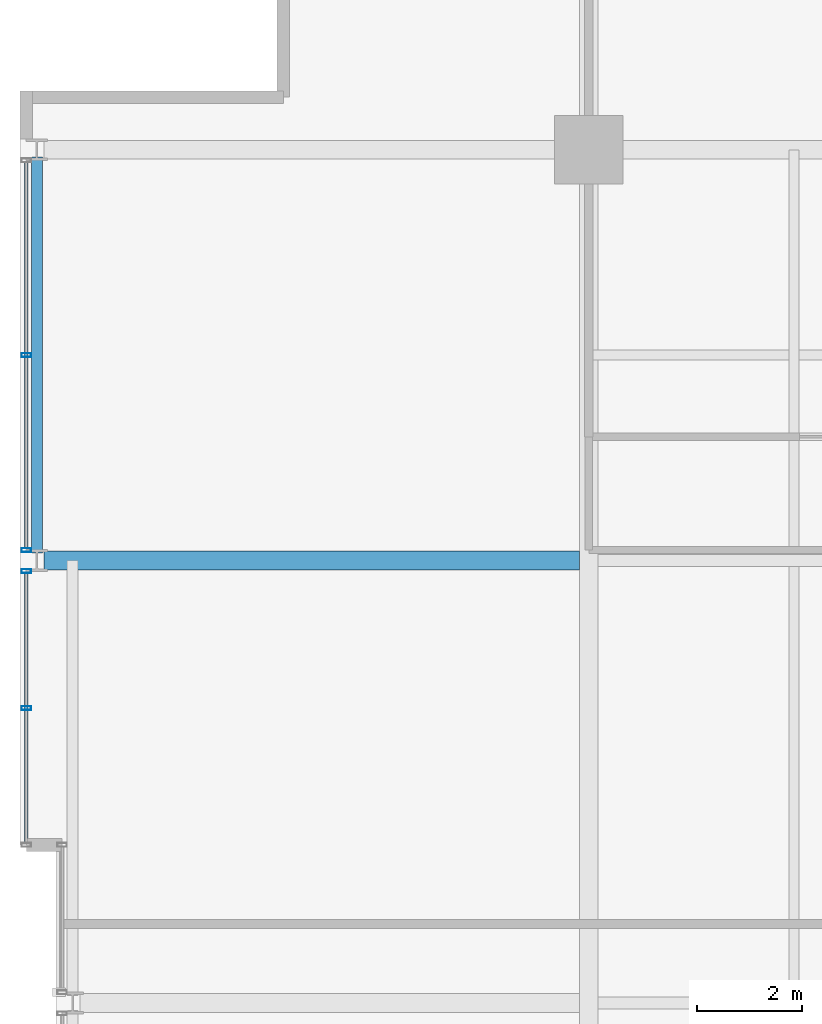
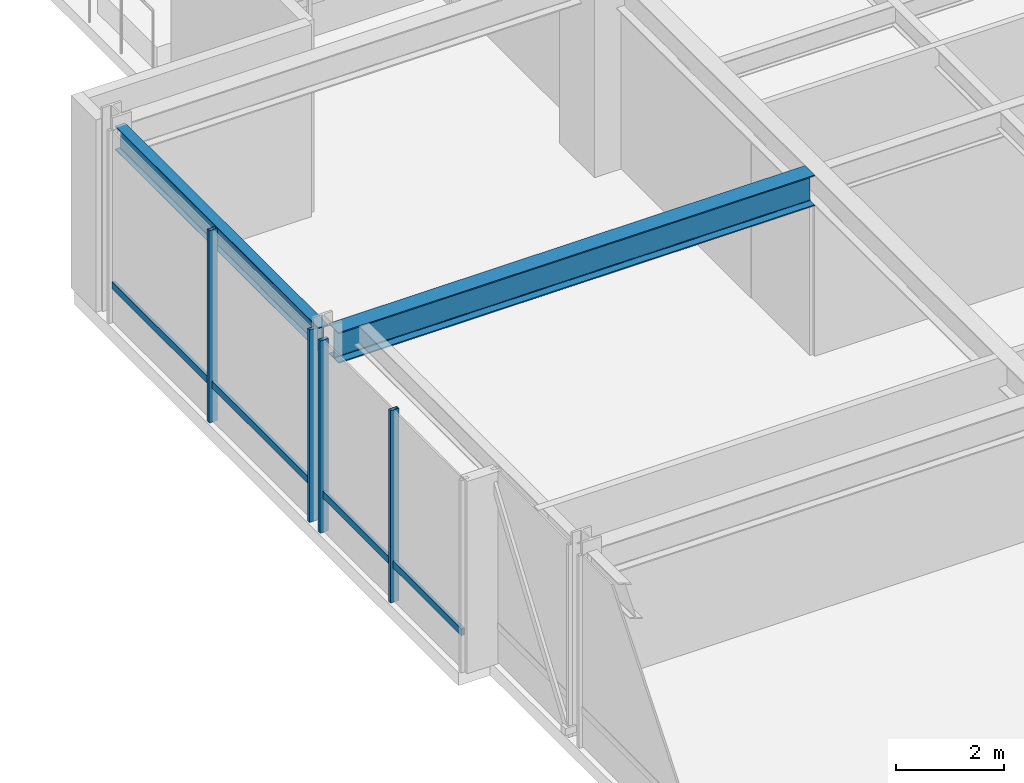
# One storey, part 17 of 32: 6 members, 2 beams, 2 elements without a shape of their own.
"""IFC4 building model written with IfcOpenShell, lengths in metres."""

from ifc_helpers import new_model, si_unit, direction, frame, origin, origin_2d, place, context, subcontext, project, spatial, hollow_rectangle, i_section, extrude, material, layer, layer_set, material_profile, profile_set, type_object, element, aggregate, save


model = new_model("IFC4")

# Units and contexts
model_context = context("Model", 3, precision=1e-05, world=origin(), true_north=direction((0.0, 1.0)))
body_context = subcontext(model_context, "Body", "Model", "MODEL_VIEW")
ifc_project = project(units=[si_unit("LENGTHUNIT", "METRE"), si_unit("AREAUNIT", "SQUARE_METRE"), si_unit("VOLUMEUNIT", "CUBIC_METRE"), si_unit("PLANEANGLEUNIT", "RADIAN"), si_unit("MASSUNIT", "GRAM", prefix="KILO")], contexts=[model_context])

# Site, building, storey
site_placement = place(None, origin())
site = spatial("IfcSite", under=ifc_project, at=site_placement, CompositionType="ELEMENT")
building_placement = place(site_placement, origin())
building = spatial("IfcBuilding", under=site, at=building_placement, Name="Drelvath Grand Hotel", CompositionType="ELEMENT")
storey_placement = place(building_placement, frame((0.0, 0.0, 145.800048828125)))
storey = spatial("IfcBuildingStorey", under=building, at=storey_placement, Name="L37", CompositionType="ELEMENT", Elevation=145.800048828125)

# Curtain wall, member
ifc_material_1 = material(Name="Brushed Pale-Silver Anodised Aluminium Frame", Category="aluminium")
ifc_layer = layer(ifc_material_1, 0.199951171875)
ifc_layer_set = layer_set([ifc_layer], Name="Brushed Pale-Silver Anodised Aluminium Frame")
curtain_wall_type = type_object("IfcCurtainWallType", Name="Stick Curtain Wall CW-04 Brushed Silver Upper-Mid", PredefinedType="NOTDEFINED", material=ifc_layer_set)
curtain_wall_1_placement = place(storey_placement, origin())
curtain_wall_1 = element("IfcCurtainWall", 1, at=curtain_wall_1_placement, inside=storey, type_object=curtain_wall_type, Name="L37 CW-04 Curtain Wall CW04-L37-WN1", PredefinedType="NOTDEFINED")
ifc_material_profile_1 = material_profile(ifc_material_1, hollow_rectangle(XDim=0.06494140625, YDim=0.159912109375, WallThickness=0.00390625, at=origin_2d()), Name="HSS160X65X4")
ifc_profile_set_1 = profile_set([ifc_material_profile_1], Name="Brushed Pale-Silver Anodised Aluminium Frame")
member_type_1 = type_object("IfcMemberType", Name="Curtain Wall Horizontal Transom CW-04 HSS160X65X4", PredefinedType="USERDEFINED", material=ifc_profile_set_1)
member_1_placement = place(storey_placement, frame((-26.8798828125, 30.0400390625, 0.849853515625), z_axis=(0.0, 1.0, 0.0), x_axis=(-1.0, 0.0, 0.0)))
member_1 = element("IfcMember", 2, at=member_1_placement, type_object=member_type_1, Name="CW04-L37-WN1 Sill Transom", ObjectType="TRANSOM", PredefinedType="USERDEFINED", context=body_context, shape_type="SweptSolid", body=[
    extrude(hollow_rectangle(XDim=0.06494140625, YDim=0.159912109375, WallThickness=0.00390625, at=origin_2d()), origin(), (0.0, 0.0, 1.0), 5.119873046875),
])

curtain_wall_2_placement = place(storey_placement, origin())
curtain_wall_2 = element("IfcCurtainWall", 3, at=curtain_wall_2_placement, inside=storey, type_object=curtain_wall_type, Name="L37 CW-04 Curtain Wall CW04-L37-WN2", PredefinedType="NOTDEFINED")
member_2_placement = place(storey_placement, frame((-26.8798828125, 35.639892578125, 0.849853515625), z_axis=(0.0, 1.0, 0.0), x_axis=(-1.0, 0.0, 0.0)))
member_2 = element("IfcMember", 4, at=member_2_placement, type_object=member_type_1, Name="CW04-L37-WN2 Sill Transom", ObjectType="TRANSOM", PredefinedType="USERDEFINED", context=body_context, shape_type="SweptSolid", body=[
    extrude(hollow_rectangle(XDim=0.06494140625, YDim=0.159912109375, WallThickness=0.00390625, at=origin_2d()), origin(), (0.0, 0.0, 1.0), 7.320068359375),
])

# Member
ifc_material_profile_2 = material_profile(ifc_material_1, hollow_rectangle(XDim=0.074951171875, YDim=0.179931640625, WallThickness=0.0048828125, at=origin_2d()), Name="HSS180X75X5")
ifc_profile_set_2 = profile_set([ifc_material_profile_2], Name="Brushed Pale-Silver Anodised Aluminium Frame")
member_type_2 = type_object("IfcMemberType", Name="Curtain Wall Vertical Mullion CW-04 HSS180X75X5", PredefinedType="MULLION", material=ifc_profile_set_2)
member_3_placement = place(storey_placement, frame((-26.8798828125, 32.60009765625, 0.0), z_axis=(0.0, 0.0, 1.0), x_axis=(0.0, 1.0, 0.0)))
member_3 = element("IfcMember", 5, at=member_3_placement, type_object=member_type_2, Name="CW04-L37-WN1 Mullion 2", PredefinedType="MULLION", context=body_context, shape_type="SweptSolid", body=[
    extrude(hollow_rectangle(XDim=0.074951171875, YDim=0.179931640625, WallThickness=0.0048828125, at=origin_2d()), origin(), (0.0, 0.0, 1.0), 4.33984375),
])

member_4_placement = place(storey_placement, frame((-26.8798828125, 35.199951171875, 0.0), z_axis=(0.0, 0.0, 1.0), x_axis=(0.0, 1.0, 0.0)))
member_4 = element("IfcMember", 6, at=member_4_placement, type_object=member_type_2, Name="CW04-L37-WN1 Mullion 3", PredefinedType="MULLION", context=body_context, shape_type="SweptSolid", body=[
    extrude(hollow_rectangle(XDim=0.074951171875, YDim=0.179931640625, WallThickness=0.0048828125, at=origin_2d()), origin(), (0.0, 0.0, 1.0), 4.33984375),
])

aggregate(curtain_wall_1, [member_3, member_4, member_1])

member_5_placement = place(storey_placement, frame((-26.8798828125, 35.60009765625, 0.0), z_axis=(0.0, 0.0, 1.0), x_axis=(0.0, 1.0, 0.0)))
member_5 = element("IfcMember", 7, at=member_5_placement, type_object=member_type_2, Name="CW04-L37-WN2 Mullion 1", PredefinedType="MULLION", context=body_context, shape_type="SweptSolid", body=[
    extrude(hollow_rectangle(XDim=0.074951171875, YDim=0.179931640625, WallThickness=0.0048828125, at=origin_2d()), origin(), (0.0, 0.0, 1.0), 4.33984375),
])

member_6_placement = place(storey_placement, frame((-26.8798828125, 39.300048828125, 0.0), z_axis=(0.0, 0.0, 1.0), x_axis=(0.0, 1.0, 0.0)))
member_6 = element("IfcMember", 8, at=member_6_placement, type_object=member_type_2, Name="CW04-L37-WN2 Mullion 2", PredefinedType="MULLION", context=body_context, shape_type="SweptSolid", body=[
    extrude(hollow_rectangle(XDim=0.074951171875, YDim=0.179931640625, WallThickness=0.0048828125, at=origin_2d()), origin(), (0.0, 0.0, 1.0), 4.33984375),
])

aggregate(curtain_wall_2, [member_5, member_6, member_2])

# Beams
ifc_material_2 = material(Name="Steel ASTM A992 Gr 50", Category="steel")
ifc_material_profile_3 = material_profile(ifc_material_2, i_section(OverallWidth=0.210205078125, OverallDepth=0.53662109375, WebThickness=0.010986328125, FlangeThickness=0.017333984375, FilletRadius=0.01806640625, at=origin_2d()), Name="W21X68")
ifc_profile_set_3 = profile_set([ifc_material_profile_3], Name="Steel ASTM A992 Gr 50")
beam_type_1 = type_object("IfcBeamType", Name="Perimeter Spandrel Beam W21X68", PredefinedType="SPANDREL", material=ifc_profile_set_3)
beam_1_placement = place(storey_placement, frame((-26.679931640625, 35.5400390625, 4.071533203125), z_axis=(0.0, 1.0, 0.0), x_axis=(-1.0, 0.0, 0.0)))
element("IfcBeam", 9, at=beam_1_placement, inside=storey, type_object=beam_type_1, Name="L37 Spandrel West N", PredefinedType="SPANDREL", context=body_context, shape_type="SweptSolid", body=[
    extrude(i_section(OverallWidth=0.210205078125, OverallDepth=0.53662109375, WebThickness=0.010986328125, FlangeThickness=0.017333984375, FilletRadius=0.01806640625, at=origin_2d()), origin(), (0.0, 0.0, 1.0), 7.52001953125),
])
ifc_material_profile_4 = material_profile(ifc_material_2, i_section(OverallWidth=0.354736328125, OverallDepth=0.695556640625, WebThickness=0.015380859375, FlangeThickness=0.025146484375, FilletRadius=0.02392578125, at=origin_2d()), Name="W27X146")
ifc_profile_set_4 = profile_set([ifc_material_profile_4], Name="Steel ASTM A992 Gr 50")
beam_type_2 = type_object("IfcBeamType", Name="Primary Floor Girder W27X146", PredefinedType="BEAM", material=ifc_profile_set_4)
beam_2_placement = place(storey_placement, frame((-26.5400390625, 35.39990234375, 3.9921875), z_axis=(1.0, 0.0, 0.0), x_axis=(0.0, 1.0, 0.0)))
element("IfcBeam", 10, at=beam_2_placement, inside=storey, type_object=beam_type_2, Name="L37 West Wing Girder F", PredefinedType="BEAM", context=body_context, shape_type="SweptSolid", body=[
    extrude(i_section(OverallWidth=0.354736328125, OverallDepth=0.695556640625, WebThickness=0.015380859375, FlangeThickness=0.025146484375, FilletRadius=0.02392578125, at=origin_2d()), origin(), (0.0, 0.0, 1.0), 10.16259765625),
])

save(model, "model.ifc")
